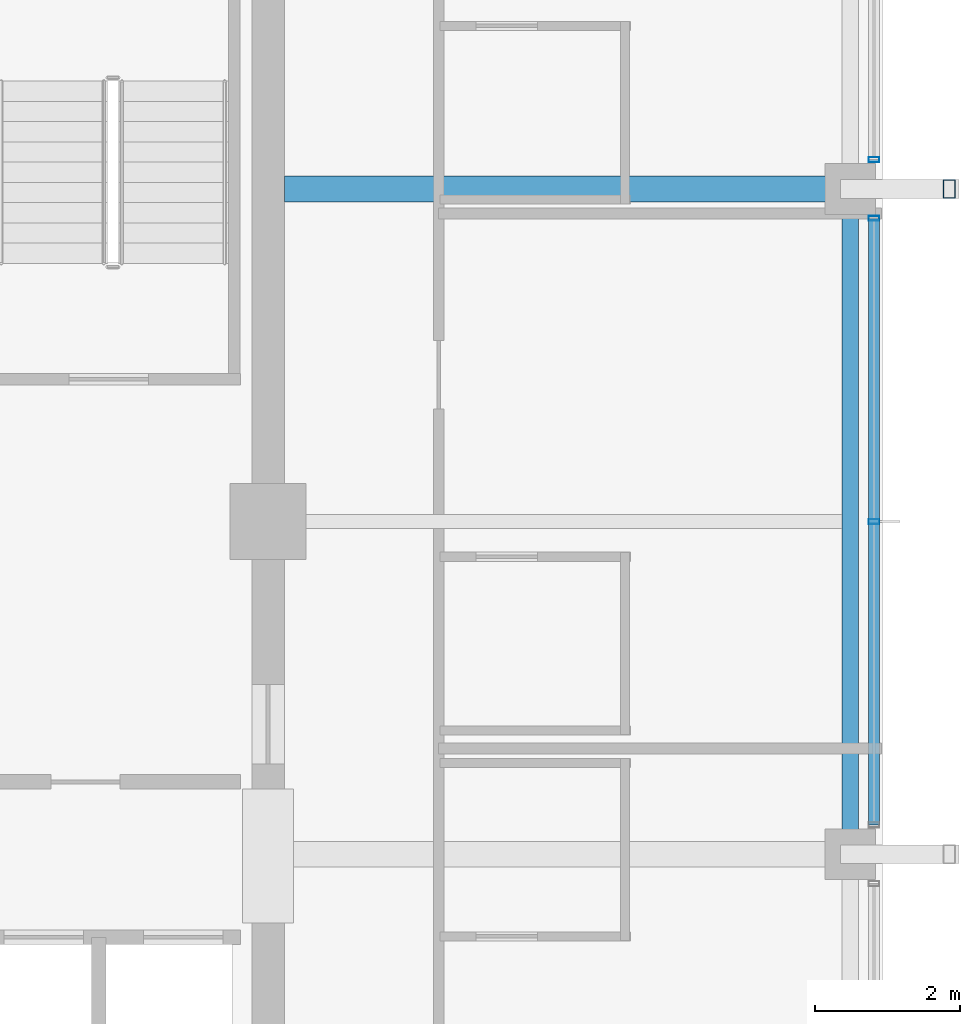
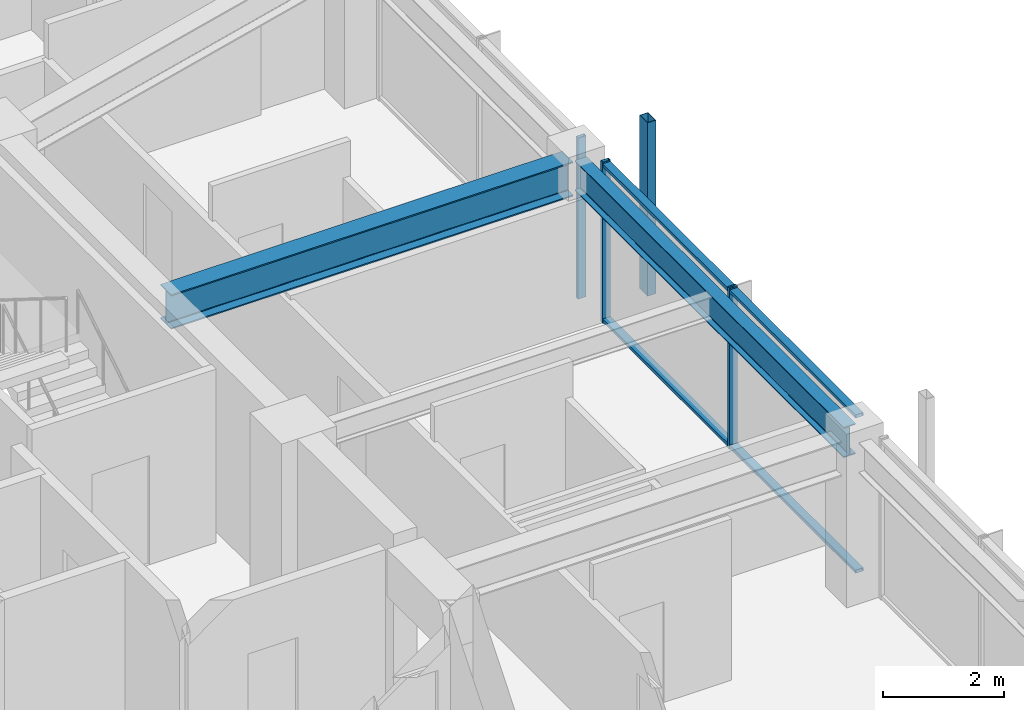
# One storey, part 12 of 31: 6 members, 2 beams, 2 elements without a shape of their own.
"""IFC4 building model written with IfcOpenShell, lengths in metres."""

from ifc_helpers import new_model, si_unit, direction, frame, origin, origin_2d, place, context, subcontext, project, spatial, hollow_rectangle, i_section, extrude, material, material_profile, profile_set, type_object, element, aggregate, save


model = new_model("IFC4")

# Units and contexts
model_context = context("Model", 3, precision=1e-05, world=origin(), true_north=direction((0.0, 1.0)))
body_context = subcontext(model_context, "Body", "Model", "MODEL_VIEW")
ifc_project = project(units=[si_unit("LENGTHUNIT", "METRE"), si_unit("AREAUNIT", "SQUARE_METRE"), si_unit("VOLUMEUNIT", "CUBIC_METRE"), si_unit("PLANEANGLEUNIT", "RADIAN"), si_unit("MASSUNIT", "GRAM", prefix="KILO")], contexts=[model_context])

# Site, building, storey
site_placement = place(None, origin())
site = spatial("IfcSite", under=ifc_project, at=site_placement, CompositionType="ELEMENT")
building_placement = place(site_placement, origin())
building = spatial("IfcBuilding", under=site, at=building_placement, Name="Kolvaren Belvedere", CompositionType="ELEMENT")
storey_placement = place(building_placement, frame((0.0, 0.0, 247.89990234375)))
storey = spatial("IfcBuildingStorey", under=building, at=storey_placement, Name="L72", CompositionType="ELEMENT", Elevation=247.89990234375)

# Beams
ifc_material_1 = material(Name="Structural steel ASTM A992 Grade 50", Category="steel")
ifc_material_profile_1 = material_profile(ifc_material_1, i_section(OverallWidth=0.35498046875, OverallDepth=0.696044921875, WebThickness=0.015380859375, FlangeThickness=0.02490234375, FilletRadius=0.02197265625, at=origin_2d()), Name="W27X146")
ifc_profile_set_1 = profile_set([ifc_material_profile_1], Name="Structural steel ASTM A992 Grade 50")
beam_type_1 = type_object("IfcBeamType", Name="BM-GIRD-W27X146", PredefinedType="BEAM", material=ifc_profile_set_1)
beam_1_placement = place(storey_placement, frame((10.125, 4.60009765625, 2.902099609375), z_axis=(1.0, 0.0, 0.0), x_axis=(0.0, 1.0, 0.0)))
element("IfcBeam", 1, at=beam_1_placement, inside=storey, type_object=beam_type_1, Name="L72 East Radial Girder P", PredefinedType="BEAM", context=body_context, shape_type="SweptSolid", body=[
    extrude(i_section(OverallWidth=0.35498046875, OverallDepth=0.696044921875, WebThickness=0.015380859375, FlangeThickness=0.02490234375, FilletRadius=0.02197265625, at=origin_2d()), origin(), (0.0, 0.0, 1.0), 7.66748046875),
])
ifc_material_2 = material(Name="Structural steel ASTM A992 Grade 50", Category="steel")
ifc_material_profile_2 = material_profile(ifc_material_2, i_section(OverallWidth=0.22900390625, OverallDepth=0.612060546875, WebThickness=0.011962890625, FlangeThickness=0.01953125, FilletRadius=0.01806640625, at=origin_2d()), Name="W24X84")
ifc_profile_set_2 = profile_set([ifc_material_profile_2], Name="Structural steel ASTM A992 Grade 50")
beam_type_2 = type_object("IfcBeamType", Name="BM-SPAN-W24X84", PredefinedType="SPANDREL", material=ifc_profile_set_2)
beam_2_placement = place(storey_placement, frame((17.949951171875, -4.4423828125, 2.944091796875), z_axis=(0.0, 1.0, 0.0), x_axis=(-1.0, 0.0, 0.0)))
element("IfcBeam", 2, at=beam_2_placement, inside=storey, type_object=beam_type_2, Name="L72 Perimeter Spandrel E2-E3", PredefinedType="SPANDREL", context=body_context, shape_type="SweptSolid", body=[
    extrude(i_section(OverallWidth=0.22900390625, OverallDepth=0.612060546875, WebThickness=0.011962890625, FlangeThickness=0.01953125, FilletRadius=0.01806640625, at=origin_2d()), origin(), (0.0, 0.0, 1.0), 8.884765625),
])

# Curtain wall, member
ifc_material_3 = material(Name="Anodised pale-metal aluminium AA 6063-T6", Category="aluminium")
curtain_wall_type = type_object("IfcCurtainWallType", Name="CW-Z5-HIGH", PredefinedType="NOTDEFINED", material=ifc_material_3)
curtain_wall_1_placement = place(storey_placement, origin())
curtain_wall_1 = element("IfcCurtainWall", 3, at=curtain_wall_1_placement, inside=storey, type_object=curtain_wall_type, Name="L72 Unitised Curtain Wall FCW-L72-E-B1", PredefinedType="NOTDEFINED")
ifc_material_4 = material(Name="Anodised pale-metal aluminium AA 6063-T6", Category="aluminium")
ifc_material_profile_3 = material_profile(ifc_material_4, hollow_rectangle(XDim=0.070068359375, YDim=0.14990234375, WallThickness=0.004150390625, at=origin_2d()), Name="ALU-MUL-150X70")
ifc_profile_set_3 = profile_set([ifc_material_profile_3], Name="Anodised pale-metal aluminium AA 6063-T6")
member_type_1 = type_object("IfcMemberType", Name="CW-MUL-150", PredefinedType="MULLION", material=ifc_profile_set_3)
member_1_placement = place(storey_placement, frame((18.280029296875, 5.0048828125, 0.0), z_axis=(0.0, 0.0, 1.0), x_axis=(0.0, 1.0, 0.0)))
member_1 = element("IfcMember", 4, at=member_1_placement, type_object=member_type_1, Name="FCW-L72-E-B1 Unitised Mullion 3", PredefinedType="MULLION", context=body_context, shape_type="SweptSolid", body=[
    extrude(hollow_rectangle(XDim=0.070068359375, YDim=0.14990234375, WallThickness=0.004150390625, at=origin_2d()), origin(), (0.0, 0.0, 1.0), 3.25),
])
aggregate(curtain_wall_1, [member_1])

# Curtain wall, members
curtain_wall_2_placement = place(storey_placement, origin())
curtain_wall_2 = element("IfcCurtainWall", 5, at=curtain_wall_2_placement, inside=storey, type_object=curtain_wall_type, Name="L72 Unitised Curtain Wall FCW-L72-E-B2", PredefinedType="NOTDEFINED")
member_2_placement = place(storey_placement, frame((18.280029296875, 4.195068359375, 0.0), z_axis=(0.0, 0.0, 1.0), x_axis=(0.0, 1.0, 0.0)))
member_2 = element("IfcMember", 6, at=member_2_placement, type_object=member_type_1, Name="FCW-L72-E-B2 Unitised Mullion 1", PredefinedType="MULLION", context=body_context, shape_type="SweptSolid", body=[
    extrude(hollow_rectangle(XDim=0.070068359375, YDim=0.14990234375, WallThickness=0.004150390625, at=origin_2d()), origin(), (0.0, 0.0, 1.0), 3.25),
])
member_3_placement = place(storey_placement, frame((18.280029296875, 0.0, 0.0), z_axis=(0.0, 0.0, 1.0), x_axis=(0.0, 1.0, 0.0)))
member_3 = element("IfcMember", 7, at=member_3_placement, type_object=member_type_1, Name="FCW-L72-E-B2 Unitised Mullion 2", PredefinedType="MULLION", context=body_context, shape_type="SweptSolid", body=[
    extrude(hollow_rectangle(XDim=0.070068359375, YDim=0.14990234375, WallThickness=0.004150390625, at=origin_2d()), origin(), (0.0, 0.0, 1.0), 3.25),
])
ifc_material_5 = material(Name="Anodised pale-metal aluminium AA 6063-T6", Category="aluminium")
ifc_material_profile_4 = material_profile(ifc_material_5, hollow_rectangle(XDim=0.06494140625, YDim=0.14990234375, WallThickness=0.00390625, at=origin_2d()), Name="ALU-TRN-150X65")
ifc_profile_set_4 = profile_set([ifc_material_profile_4], Name="Anodised pale-metal aluminium AA 6063-T6")
member_type_2 = type_object("IfcMemberType", Name="CW-TRN-150", PredefinedType="USERDEFINED", material=ifc_profile_set_4)
member_4_placement = place(storey_placement, frame((18.280029296875, 4.195068359375, 0.06005859375), z_axis=(0.0, -1.0, 0.0), x_axis=(0.0, 0.0, 1.0)))
member_4 = element("IfcMember", 8, at=member_4_placement, type_object=member_type_2, Name="FCW-L72-E-B2 Sill Transom", ObjectType="TRANSOM", PredefinedType="USERDEFINED", context=body_context, shape_type="SweptSolid", body=[
    extrude(hollow_rectangle(XDim=0.06494140625, YDim=0.14990234375, WallThickness=0.00390625, at=origin_2d()), origin(), (0.0, 0.0, 1.0), 8.39013671875),
])
member_5_placement = place(storey_placement, frame((18.280029296875, 4.195068359375, 3.190185546875), z_axis=(0.0, -1.0, 0.0), x_axis=(0.0, 0.0, 1.0)))
member_5 = element("IfcMember", 9, at=member_5_placement, type_object=member_type_2, Name="FCW-L72-E-B2 Head Transom", ObjectType="TRANSOM", PredefinedType="USERDEFINED", context=body_context, shape_type="SweptSolid", body=[
    extrude(hollow_rectangle(XDim=0.06494140625, YDim=0.14990234375, WallThickness=0.00390625, at=origin_2d()), origin(), (0.0, 0.0, 1.0), 8.39013671875),
])
aggregate(curtain_wall_2, [member_2, member_3, member_4, member_5])

# Member
ifc_material_6 = material(Name="Anodised pale-metal aluminium AA 6063-T6", Category="aluminium")
ifc_material_profile_5 = material_profile(ifc_material_6, hollow_rectangle(XDim=0.159912109375, YDim=0.260009765625, WallThickness=0.006591796875, at=origin_2d()), Name="ALU-PF-260X160")
ifc_profile_set_5 = profile_set([ifc_material_profile_5], Name="Anodised pale-metal aluminium AA 6063-T6")
member_type_3 = type_object("IfcMemberType", Name="PF-FRAME-260", PredefinedType="USERDEFINED", material=ifc_profile_set_5)
member_6_placement = place(storey_placement, frame((19.320068359375, 4.60009765625, 0.0), z_axis=(0.0, 0.0, 1.0), x_axis=(1.0, 0.0, 0.0)))
element("IfcMember", 10, at=member_6_placement, inside=storey, type_object=member_type_3, Name="L72 Outboard Picture-Frame Vertical E1", ObjectType="PICTURE FRAME FIN", PredefinedType="USERDEFINED", context=body_context, shape_type="SweptSolid", body=[
    extrude(hollow_rectangle(XDim=0.159912109375, YDim=0.260009765625, WallThickness=0.006591796875, at=origin_2d()), origin(), (0.0, 0.0, 1.0), 3.5),
])

save(model, "model.ifc")
